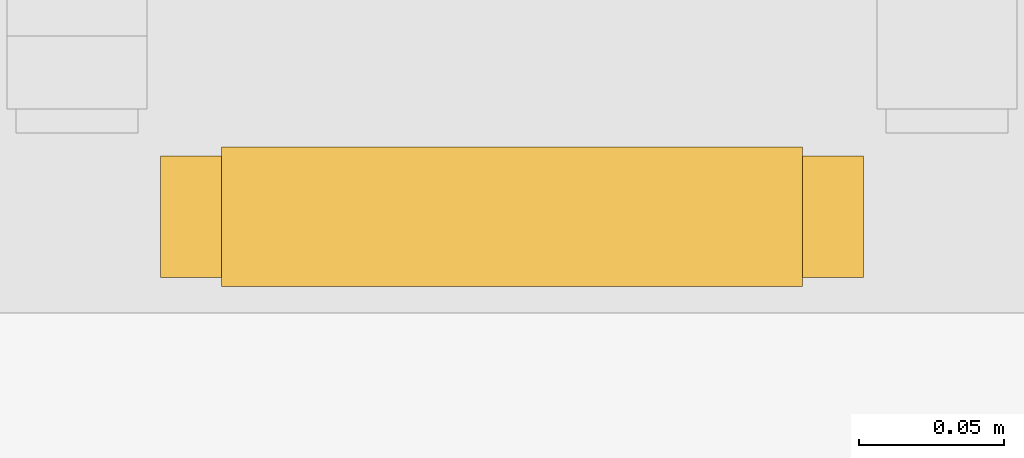
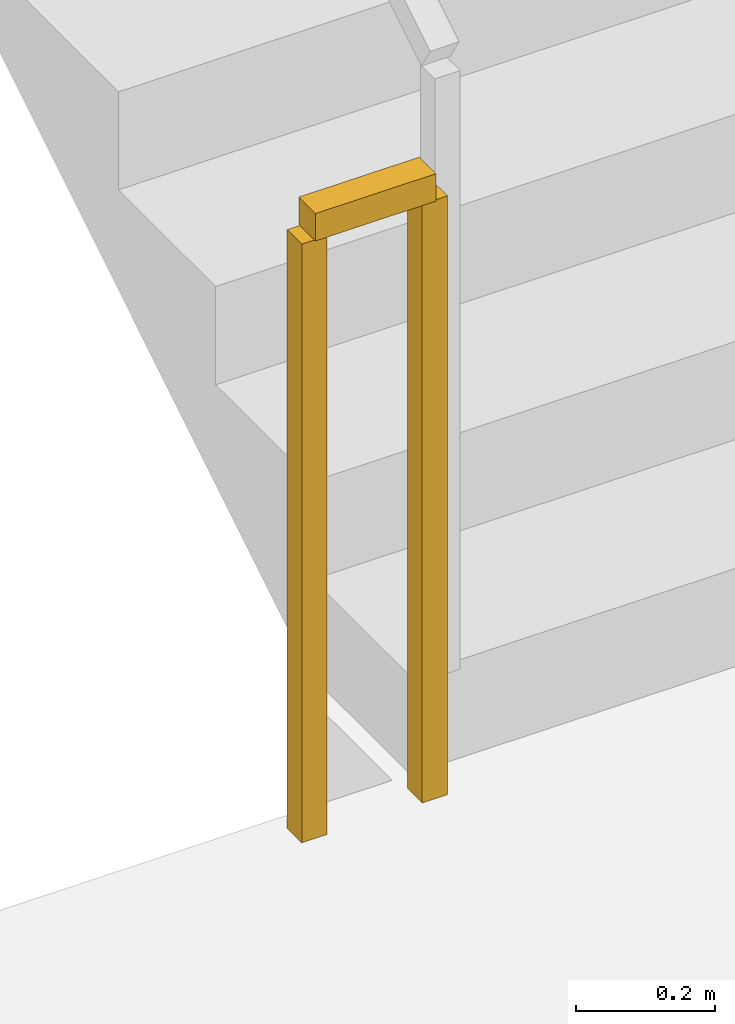
# One storey, part 9 of 12: 1 railing.
"""IFC4 building model written with IfcOpenShell, lengths in metres."""

from ifc_helpers import new_model, si_unit, direction, frame, origin, origin_2d, place, context, subcontext, project, spatial, rectangle, extrude, material, type_object, element, save


model = new_model("IFC4")

# Units and contexts
model_context = context("Model", 3, precision=1e-05, world=origin(), true_north=direction((0.0, 1.0)))
body_context = subcontext(model_context, "Body", "Model", "MODEL_VIEW")
ifc_project = project(units=[si_unit("LENGTHUNIT", "METRE"), si_unit("AREAUNIT", "SQUARE_METRE"), si_unit("VOLUMEUNIT", "CUBIC_METRE"), si_unit("PLANEANGLEUNIT", "RADIAN"), si_unit("MASSUNIT", "GRAM", prefix="KILO")], contexts=[model_context])

# Site, building, storey
site_placement = place(None, origin())
site = spatial("IfcSite", under=ifc_project, at=site_placement, CompositionType="ELEMENT")
building_placement = place(site_placement, origin())
building = spatial("IfcBuilding", under=site, at=building_placement, Name="Haldorwick Loom Tower", CompositionType="ELEMENT")
storey_placement = place(building_placement, frame((0.0, 0.0, 237.449951171875)))
storey = spatial("IfcBuildingStorey", under=building, at=storey_placement, Name="L64", CompositionType="ELEMENT", Elevation=237.449951171875)

# Railing
ifc_material = material(Name="Steel CSA G40.21 350W", Category="steel")
railing_type = type_object("IfcRailingType", Name="ARC-RLG-GUARD112", PredefinedType="GUARDRAIL", material=ifc_material)
railing_placement = place(storey_placement, frame((31.85009765625, 28.35009765625, 0.0)))
element("IfcRailing", 1, at=railing_placement, inside=storey, type_object=railing_type, Name="L64 ST-03 stair guard 4", PredefinedType="GUARDRAIL", context=body_context, shape_type="SweptSolid", body=[
    extrude(rectangle(XDim=0.048095703125, YDim=0.048095703125, at=origin_2d()), frame((0.0, 0.0, 1.076171875), z_axis=(-1.0, 0.0, 0.0), x_axis=(0.0, -1.0, 0.0)), (0.0, 0.0, 1.0), 0.2001953125),
    extrude(rectangle(XDim=0.0419921875, YDim=0.0419921875, at=origin_2d()), origin(), (0.0, 0.0, 1.0), 1.052001953125),
    extrude(rectangle(XDim=0.0419921875, YDim=0.0419921875, at=origin_2d()), frame((-0.2001953125, 0.0, 0.0)), (0.0, 0.0, 1.0), 1.052001953125),
])

save(model, "model.ifc")
